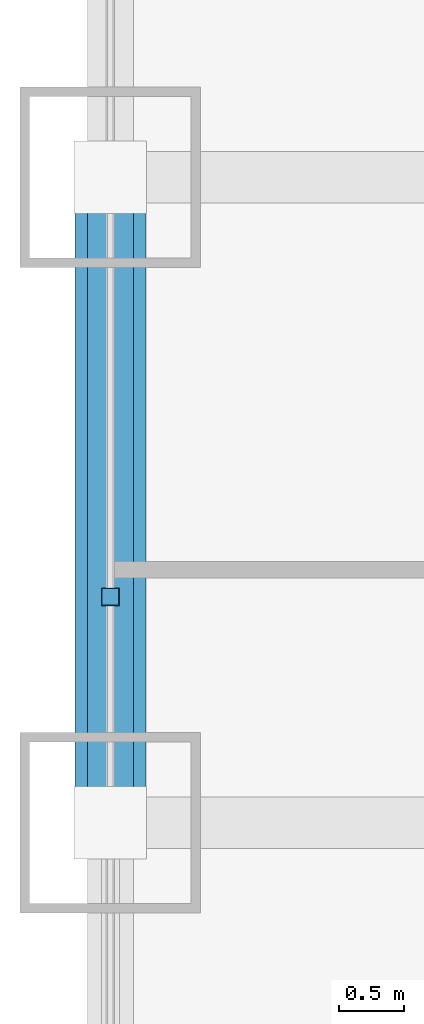
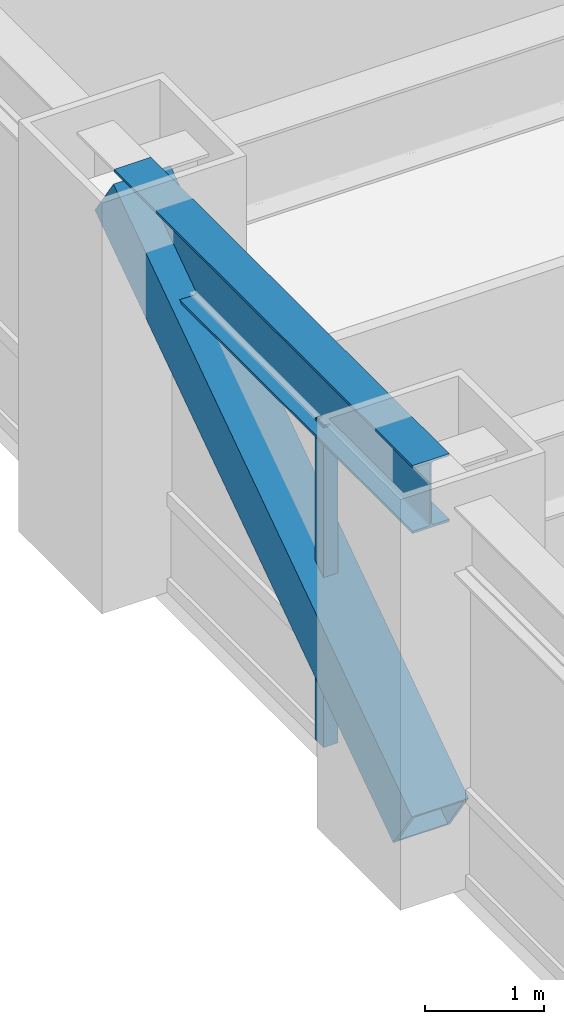
# One storey, part 6 of 28: 2 members, 1 beam, 1 element without a shape of its own.
"""IFC4 building model written with IfcOpenShell, lengths in metres."""

from ifc_helpers import new_model, si_unit, direction, frame, origin, origin_2d, place, context, subcontext, project, spatial, hollow_rectangle, i_section, extrude, source, transform, mapped, material, material_profile, profile_set, type_object, element, aggregate, save


model = new_model("IFC4")

# Units and contexts
model_context = context("Model", 3, precision=1e-05, world=origin(), true_north=direction((0.0, 1.0)))
body_context = subcontext(model_context, "Body", "Model", "MODEL_VIEW")
ifc_project = project(units=[si_unit("LENGTHUNIT", "METRE"), si_unit("AREAUNIT", "SQUARE_METRE"), si_unit("VOLUMEUNIT", "CUBIC_METRE"), si_unit("PLANEANGLEUNIT", "RADIAN"), si_unit("MASSUNIT", "GRAM", prefix="KILO")], contexts=[model_context])

# Site, building, storey
site_placement = place(None, origin())
site = spatial("IfcSite", under=ifc_project, at=site_placement, CompositionType="ELEMENT")
building_placement = place(site_placement, origin())
building = spatial("IfcBuilding", under=site, at=building_placement, Name="Khorayat Bourse Tower", CompositionType="ELEMENT")
storey_placement = place(building_placement, frame((0.0, 0.0, 57.800048828125)))
storey = spatial("IfcBuildingStorey", under=building, at=storey_placement, Name="L12", CompositionType="ELEMENT", Elevation=57.800048828125)

# Beam
ifc_material_1 = material(Name="Steel ASTM A992 Grade 50", Category="steel")
ifc_material_profile_1 = material_profile(ifc_material_1, i_section(OverallWidth=0.35498046875, OverallDepth=0.695068359375, WebThickness=0.015380859375, FlangeThickness=0.02490234375, FilletRadius=0.01806640625, at=origin_2d()), Name="W690X217")
ifc_profile_set_1 = profile_set([ifc_material_profile_1], Name="Steel ASTM A992 Grade 50")
beam_type = type_object("IfcBeamType", Name="BM-SPAN-690", PredefinedType="SPANDREL", material=ifc_profile_set_1)
shared_shape_1 = source(origin(), body_context, "Body", "SweptSolid", [
    extrude(i_section(OverallWidth=0.35498046875, OverallDepth=0.695068359375, WebThickness=0.015380859375, FlangeThickness=0.02490234375, FilletRadius=0.01806640625, at=origin_2d()), origin(), (0.0, 0.0, 1.0), 5.0),
])
beam_placement = place(storey_placement, frame((-32.0, -11.0, 3.592529296875), z_axis=(0.0, 1.0, 0.0), x_axis=(-1.0, 0.0, 0.0)))
element("IfcBeam", 1, at=beam_placement, inside=storey, type_object=beam_type, Name="L12 BM-SPAN-690 BM-L12-SPN-059", PredefinedType="SPANDREL", context=body_context, shape_type="MappedRepresentation", body=[
    mapped(shared_shape_1, transform((0.0, 0.0, 0.0), scale=1.0)),
])

# Member
ifc_material_2 = material(Name="Steel EN 10025-4 S460M", Category="steel")
ifc_material_profile_2 = material_profile(ifc_material_2, hollow_rectangle(XDim=0.550048828125, YDim=0.550048828125, WallThickness=0.031982421875, at=origin_2d()), Name="HSS 550x550x32")
ifc_profile_set_2 = profile_set([ifc_material_profile_2], Name="Steel EN 10025-4 S460M")
member_type_1 = type_object("IfcMemberType", Name="MBR-TUBE-550", PredefinedType="BRACE", material=ifc_profile_set_2)
shared_shape_2 = source(origin(), body_context, "Body", "SweptSolid", [
    extrude(hollow_rectangle(XDim=0.550048828125, YDim=0.550048828125, WallThickness=0.031982421875, at=origin_2d()), origin(), (0.0, 0.0, 1.0), 6.069091796875),
])
member_1_placement = place(storey_placement, frame((-32.0, -11.0, 0.25), z_axis=(0.0, 0.823854080622, 0.566801952928), x_axis=(-1.0, 0.0, 0.0)))
element("IfcMember", 2, at=member_1_placement, inside=storey, type_object=member_type_1, Name="L12 Perimeter Tube Brace 05", PredefinedType="BRACE", context=body_context, shape_type="MappedRepresentation", body=[
    mapped(shared_shape_2, transform((0.0, 0.0, 0.0), scale=1.0)),
])

# Curtain wall, member
ifc_material_3 = material(Name="Aluminium EN AW-6063 T6", Category="aluminium")
curtain_wall_type = type_object("IfcCurtainWallType", Name="CW-SYS-02", PredefinedType="NOTDEFINED", material=ifc_material_3)
curtain_wall_placement = place(storey_placement, origin())
curtain_wall = element("IfcCurtainWall", 3, at=curtain_wall_placement, inside=storey, type_object=curtain_wall_type, Name="L12 Curtain Wall CW-L12-W1", PredefinedType="NOTDEFINED")
ifc_material_profile_3 = material_profile(ifc_material_3, hollow_rectangle(XDim=0.139892578125, YDim=0.139892578125, WallThickness=0.006103515625, at=origin_2d()), Name="ALU 140x140x6")
ifc_profile_set_3 = profile_set([ifc_material_profile_3], Name="Aluminium EN AW-6063 T6")
member_type_2 = type_object("IfcMemberType", Name="CWM-VERT-140", PredefinedType="MULLION", material=ifc_profile_set_3)
shared_shape_3 = source(origin(), body_context, "Body", "SweptSolid", [
    extrude(hollow_rectangle(XDim=0.139892578125, YDim=0.139892578125, WallThickness=0.006103515625, at=origin_2d()), origin(), (0.0, 0.0, 1.0), 3.2900390625),
])
member_2_placement = place(storey_placement, frame((-32.0, -9.25, 0.0), z_axis=(0.0, 0.0, 1.0), x_axis=(-1.0, 0.0, 0.0)))
member_2 = element("IfcMember", 4, at=member_2_placement, type_object=member_type_2, Name="CW-L12-W1 Vertical Mullion 2", PredefinedType="MULLION", context=body_context, shape_type="MappedRepresentation", body=[
    mapped(shared_shape_3, transform((0.0, 0.0, 0.0), scale=1.0)),
])
aggregate(curtain_wall, [member_2])

save(model, "model.ifc")
